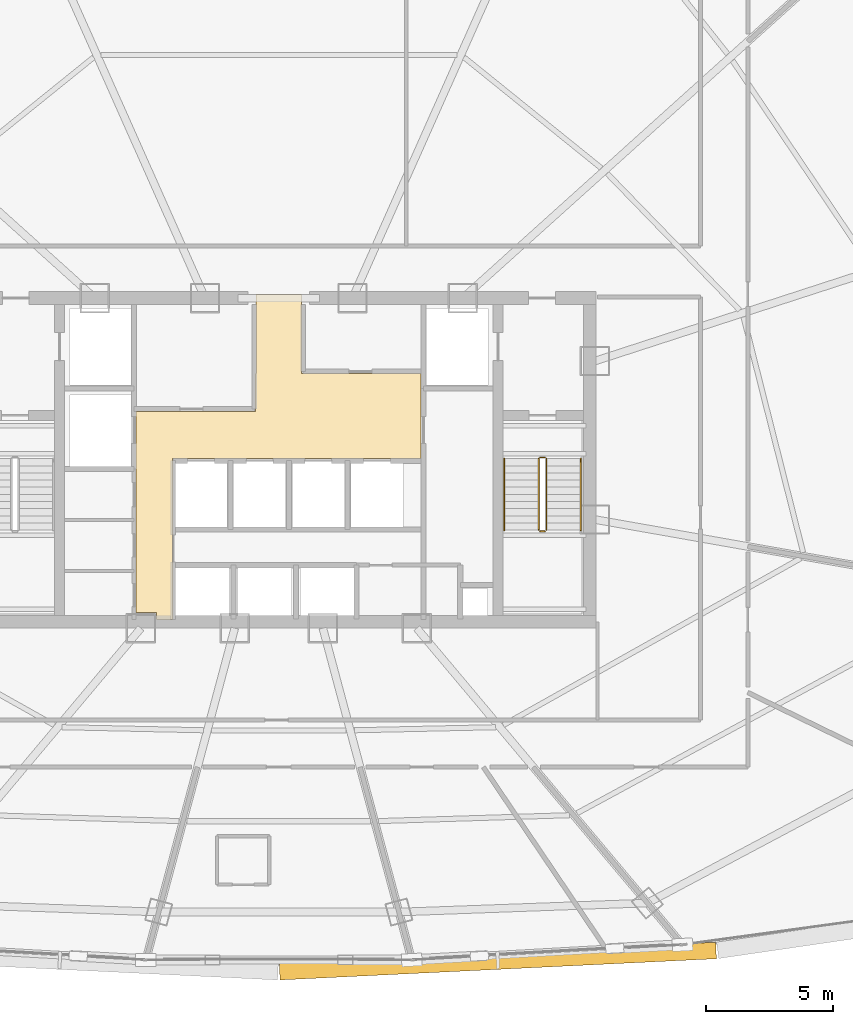
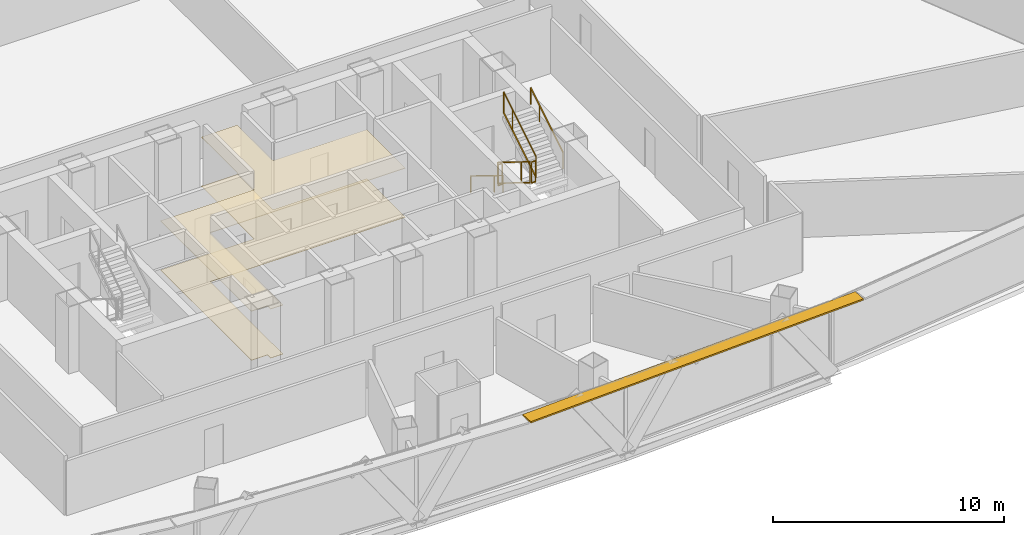
# One storey, part 35 of 37: 6 railings, 2 coverings, 1 shading device.
"""IFC4 building model written with IfcOpenShell, lengths in metres."""

from ifc_helpers import new_model, si_unit, direction, frame, origin, origin_2d, place, context, subcontext, project, spatial, polyline, rectangle, outline, extrude, source, transform, mapped, material, layer, layer_set, type_object, element, save


model = new_model("IFC4")

# Units and contexts
model_context = context("Model", 3, precision=1e-05, world=origin(), true_north=direction((0.0, 1.0)))
body_context = subcontext(model_context, "Body", "Model", "MODEL_VIEW")
ifc_project = project(units=[si_unit("LENGTHUNIT", "METRE"), si_unit("AREAUNIT", "SQUARE_METRE"), si_unit("VOLUMEUNIT", "CUBIC_METRE"), si_unit("PLANEANGLEUNIT", "RADIAN"), si_unit("MASSUNIT", "GRAM", prefix="KILO"), si_unit("THERMODYNAMICTEMPERATUREUNIT", "KELVIN"), si_unit("POWERUNIT", "WATT")], contexts=[model_context])

# Site, building, storey
site_placement = place(None, origin())
site = spatial("IfcSite", under=ifc_project, at=site_placement, CompositionType="ELEMENT")
building_placement = place(site_placement, origin())
building = spatial("IfcBuilding", under=site, at=building_placement, Name="Yunzhuo Pagoda Commons", CompositionType="ELEMENT")
storey_placement = place(building_placement, frame((0.0, 0.0, 192.360107421875)))
storey = spatial("IfcBuildingStorey", under=building, at=storey_placement, Name="L48", CompositionType="ELEMENT", Elevation=192.360107421875)

# Coverings
ifc_material_1 = material(Name="Perforated gypsum acoustic ceiling tile")
ifc_layer_1 = layer(ifc_material_1, 0.030029296875)
ifc_layer_set_1 = layer_set([ifc_layer_1], Name="Perforated gypsum acoustic ceiling tile")
covering_type_1 = type_object("IfcCoveringType", Name="COV-CL2 Ceiling 30", PredefinedType="CEILING", material=ifc_layer_set_1)
covering_1_placement = place(storey_placement, frame((0.0, 0.0, 2.58984375)))
element("IfcCovering", 1, at=covering_1_placement, inside=storey, type_object=covering_type_1, Name="L48 lift lobby acoustic ceiling", PredefinedType="CEILING", context=body_context, shape_type="SweptSolid", body=[
    extrude(outline(polyline([(42.39990234375, 35.75), (47.080078125, 35.75), (47.080078125, 37.25), (47.10009765625, 37.25), (47.10009765625, 40.35009765625), (48.89990234375, 40.35009765625), (48.89990234375, 37.25), (53.580078125, 37.25), (53.580078125, 33.89990234375), (43.820068359375, 33.89990234375), (43.820068359375, 27.60009765625), (43.207763671875, 27.60009765625), (43.207763671875, 27.85009765625), (43.201904296875, 27.864013671875), (43.187744140625, 27.8701171875), (42.39990234375, 27.8701171875), (42.39990234375, 33.89990234375), (42.39990234375, 35.75)])), origin(), (0.0, 0.0, 1.0), 0.030029296875),
])
ifc_material_2 = material(Name="Porcelain ceramic floor tile")
ifc_layer_2 = layer(ifc_material_2, 0.02001953125)
ifc_layer_set_2 = layer_set([ifc_layer_2], Name="Porcelain ceramic floor tile")
covering_type_2 = type_object("IfcCoveringType", Name="COV-FL1 Flooring 20", PredefinedType="FLOORING", material=ifc_layer_set_2)
covering_2_placement = place(storey_placement, origin())
element("IfcCovering", 2, at=covering_2_placement, inside=storey, type_object=covering_type_2, Name="L48 lift lobby flooring", PredefinedType="FLOORING", context=body_context, shape_type="SweptSolid", body=[
    extrude(outline(polyline([(42.39990234375, 35.75), (47.080078125, 35.75), (47.080078125, 37.25), (47.10009765625, 37.25), (47.10009765625, 40.35009765625), (48.89990234375, 40.35009765625), (48.89990234375, 37.25), (53.580078125, 37.25), (53.580078125, 33.89990234375), (43.820068359375, 33.89990234375), (43.820068359375, 27.60009765625), (43.207763671875, 27.60009765625), (43.207763671875, 27.85009765625), (43.201904296875, 27.864013671875), (43.187744140625, 27.8701171875), (42.39990234375, 27.8701171875), (42.39990234375, 33.89990234375), (42.39990234375, 35.75)])), origin(), (0.0, 0.0, 1.0), 0.019775390625),
])

# Railings
ifc_material_3 = material(Name="Anodized aluminium 6063-T6", Category="aluminium")
railing_type_1 = type_object("IfcRailingType", Name="GR-ST2 Stair Well Guardrail 1160", PredefinedType="GUARDRAIL", material=ifc_material_3)
railing_1_placement = place(storey_placement, frame((58.199951171875, 33.89990234375, 0.172607421875)))
element("IfcRailing", 3, at=railing_1_placement, inside=storey, type_object=railing_type_1, Name="L48 ST2 stair guard 1", PredefinedType="GUARDRAIL", context=body_context, shape_type="SweptSolid", body=[
    extrude(rectangle(XDim=0.048095703125, YDim=0.048095703125, at=origin_2d()), frame((0.0, 0.0, 1.1259765625), z_axis=(0.0, -0.851069175582, 0.525053576669), x_axis=(1.0, 0.0, 0.0)), (0.0, 0.0, 1.0), 3.289794921875),
    extrude(rectangle(XDim=0.048095703125, YDim=0.048095703125, at=origin_2d()), frame((0.0, 0.0, 0.02392578125), z_axis=(0.0, -0.851069175582, 0.525053576669), x_axis=(1.0, 0.0, 0.0)), (0.0, 0.0, 1.0), 3.289794921875),
    extrude(rectangle(XDim=0.0419921875, YDim=0.0419921875, at=origin_2d()), origin(), (0.0, 0.0, 1.0), 1.101806640625),
    extrude(rectangle(XDim=0.0419921875, YDim=0.0419921875, at=origin_2d()), frame((0.0, -2.04248046875, 1.260009765625)), (0.0, 0.0, 1.0), 1.101806640625),
    extrude(rectangle(XDim=0.0419921875, YDim=0.0419921875, at=origin_2d()), frame((0.0, -2.7998046875, 1.727294921875)), (0.0, 0.0, 1.0), 1.101806640625),
])
railing_2_placement = place(storey_placement, frame((58.25, 31.050048828125, 1.89990234375)))
element("IfcRailing", 4, at=railing_2_placement, inside=storey, type_object=railing_type_1, Name="L48 ST2 stair guard 2", PredefinedType="GUARDRAIL", context=body_context, shape_type="SweptSolid", body=[
    extrude(rectangle(XDim=0.048095703125, YDim=0.048095703125, at=origin_2d()), frame((0.0, 0.0, 1.1259765625), z_axis=(1.0, 0.0, 0.0), x_axis=(0.0, 1.0, 0.0)), (0.0, 0.0, 1.0), 0.199951171875),
    extrude(rectangle(XDim=0.048095703125, YDim=0.048095703125, at=origin_2d()), frame((0.0, 0.0, 0.02392578125), z_axis=(1.0, 0.0, 0.0), x_axis=(0.0, 1.0, 0.0)), (0.0, 0.0, 1.0), 0.199951171875),
    extrude(rectangle(XDim=0.0419921875, YDim=0.0419921875, at=origin_2d()), origin(), (0.0, 0.0, 1.0), 1.101806640625),
    extrude(rectangle(XDim=0.0419921875, YDim=0.0419921875, at=origin_2d()), frame((0.199951171875, 0.0, 0.0)), (0.0, 0.0, 1.0), 1.101806640625),
])
railing_3_placement = place(storey_placement, frame((58.5, 31.10009765625, 2.072509765625)))
element("IfcRailing", 5, at=railing_3_placement, inside=storey, type_object=railing_type_1, Name="L48 ST2 stair guard 3", PredefinedType="GUARDRAIL", context=body_context, shape_type="SweptSolid", body=[
    extrude(rectangle(XDim=0.048095703125, YDim=0.048095703125, at=origin_2d()), frame((0.0, 0.0, 1.1259765625), z_axis=(0.0, 0.851069175582, 0.525053576669), x_axis=(-1.0, 0.0, 0.0)), (0.0, 0.0, 1.0), 3.289794921875),
    extrude(rectangle(XDim=0.048095703125, YDim=0.048095703125, at=origin_2d()), frame((0.0, 0.0, 0.02392578125), z_axis=(0.0, 0.851069175582, 0.525053576669), x_axis=(-1.0, 0.0, 0.0)), (0.0, 0.0, 1.0), 3.289794921875),
    extrude(rectangle(XDim=0.0419921875, YDim=0.0419921875, at=origin_2d()), origin(), (0.0, 0.0, 1.0), 1.101806640625),
    extrude(rectangle(XDim=0.0419921875, YDim=0.0419921875, at=origin_2d()), frame((0.0, 2.04248046875, 1.260009765625)), (0.0, 0.0, 1.0), 1.101806640625),
    extrude(rectangle(XDim=0.0419921875, YDim=0.0419921875, at=origin_2d()), frame((0.0, 2.7998046875, 1.727294921875)), (0.0, 0.0, 1.0), 1.101806640625),
])
railing_4_placement = place(storey_placement, frame((58.25, 33.949951171875, 0.0)))
element("IfcRailing", 6, at=railing_4_placement, inside=storey, type_object=railing_type_1, Name="L48 ST2 stair guard 4", PredefinedType="GUARDRAIL", context=body_context, shape_type="SweptSolid", body=[
    extrude(rectangle(XDim=0.048095703125, YDim=0.048095703125, at=origin_2d()), frame((0.0, 0.0, 1.1259765625), z_axis=(1.0, 0.0, 0.0), x_axis=(0.0, 1.0, 0.0)), (0.0, 0.0, 1.0), 0.199951171875),
    extrude(rectangle(XDim=0.048095703125, YDim=0.048095703125, at=origin_2d()), frame((0.0, 0.0, 0.02392578125), z_axis=(1.0, 0.0, 0.0), x_axis=(0.0, 1.0, 0.0)), (0.0, 0.0, 1.0), 0.199951171875),
    extrude(rectangle(XDim=0.0419921875, YDim=0.0419921875, at=origin_2d()), origin(), (0.0, 0.0, 1.0), 1.101806640625),
    extrude(rectangle(XDim=0.0419921875, YDim=0.0419921875, at=origin_2d()), frame((0.199951171875, 0.0, 0.0)), (0.0, 0.0, 1.0), 1.101806640625),
])
railing_type_2 = type_object("IfcRailingType", Name="HR-ST2 Stair Handrail 900", PredefinedType="HANDRAIL", material=ifc_material_3)
railing_5_placement = place(storey_placement, frame((56.85009765625, 33.89990234375, 0.172607421875)))
element("IfcRailing", 7, at=railing_5_placement, inside=storey, type_object=railing_type_2, Name="L48 ST2 stair handrail 1", PredefinedType="HANDRAIL", context=body_context, shape_type="SweptSolid", body=[
    extrude(rectangle(XDim=0.048095703125, YDim=0.048095703125, at=origin_2d()), frame((0.0, 0.0, 0.8759765625), z_axis=(0.0, -0.851069175582, 0.525053576669), x_axis=(1.0, 0.0, 0.0)), (0.0, 0.0, 1.0), 3.289794921875),
    extrude(rectangle(XDim=0.0419921875, YDim=0.0419921875, at=origin_2d()), origin(), (0.0, 0.0, 1.0), 0.851806640625),
    extrude(rectangle(XDim=0.0419921875, YDim=0.0419921875, at=origin_2d()), frame((0.0, -2.04248046875, 1.260009765625)), (0.0, 0.0, 1.0), 0.851806640625),
    extrude(rectangle(XDim=0.0419921875, YDim=0.0419921875, at=origin_2d()), frame((0.0, -2.7998046875, 1.727294921875)), (0.0, 0.0, 1.0), 0.851806640625),
])
railing_6_placement = place(storey_placement, frame((59.85009765625, 31.10009765625, 2.072509765625)))
element("IfcRailing", 8, at=railing_6_placement, inside=storey, type_object=railing_type_2, Name="L48 ST2 stair handrail 2", PredefinedType="HANDRAIL", context=body_context, shape_type="SweptSolid", body=[
    extrude(rectangle(XDim=0.048095703125, YDim=0.048095703125, at=origin_2d()), frame((0.0, 0.0, 0.8759765625), z_axis=(0.0, 0.851069175582, 0.525053576669), x_axis=(-1.0, 0.0, 0.0)), (0.0, 0.0, 1.0), 3.289794921875),
    extrude(rectangle(XDim=0.0419921875, YDim=0.0419921875, at=origin_2d()), origin(), (0.0, 0.0, 1.0), 0.851806640625),
    extrude(rectangle(XDim=0.0419921875, YDim=0.0419921875, at=origin_2d()), frame((0.0, 2.04248046875, 1.260009765625)), (0.0, 0.0, 1.0), 0.851806640625),
    extrude(rectangle(XDim=0.0419921875, YDim=0.0419921875, at=origin_2d()), frame((0.0, 2.7998046875, 1.727294921875)), (0.0, 0.0, 1.0), 0.851806640625),
])

# Shading device
ifc_layer_3 = layer(ifc_material_3, 0.080078125)
ifc_layer_set_3 = layer_set([ifc_layer_3], Name="Anodized aluminium 6063-T6")
shading_device_type = type_object("IfcShadingDeviceType", Name="SH-SUN1 Pagoda Horizontal Sunshade Eave 650", PredefinedType="USERDEFINED", material=ifc_layer_set_3)
shared_shape = source(origin(), body_context, "Body", "SweptSolid", [
    extrude(rectangle(XDim=17.143798828125, YDim=0.64990234375, at=origin_2d()), origin(), (0.0, 0.0, 1.0), 0.080078125),
])
shading_device_placement = place(storey_placement, frame((56.593505859375, 14.1875, 3.4599609375), z_axis=(0.0, 0.0, 1.0), x_axis=(0.998818043775, 0.04860571396, 0.0)))
element("IfcShadingDevice", 9, at=shading_device_placement, inside=storey, type_object=shading_device_type, Name="L48 horizontal pagoda sunshade eave F1.3", ObjectType="SUNSHADE", PredefinedType="USERDEFINED", context=body_context, shape_type="MappedRepresentation", body=[
    mapped(shared_shape, transform((0.0, 0.0, 0.0), scale=1.0)),
])

save(model, "model.ifc")
